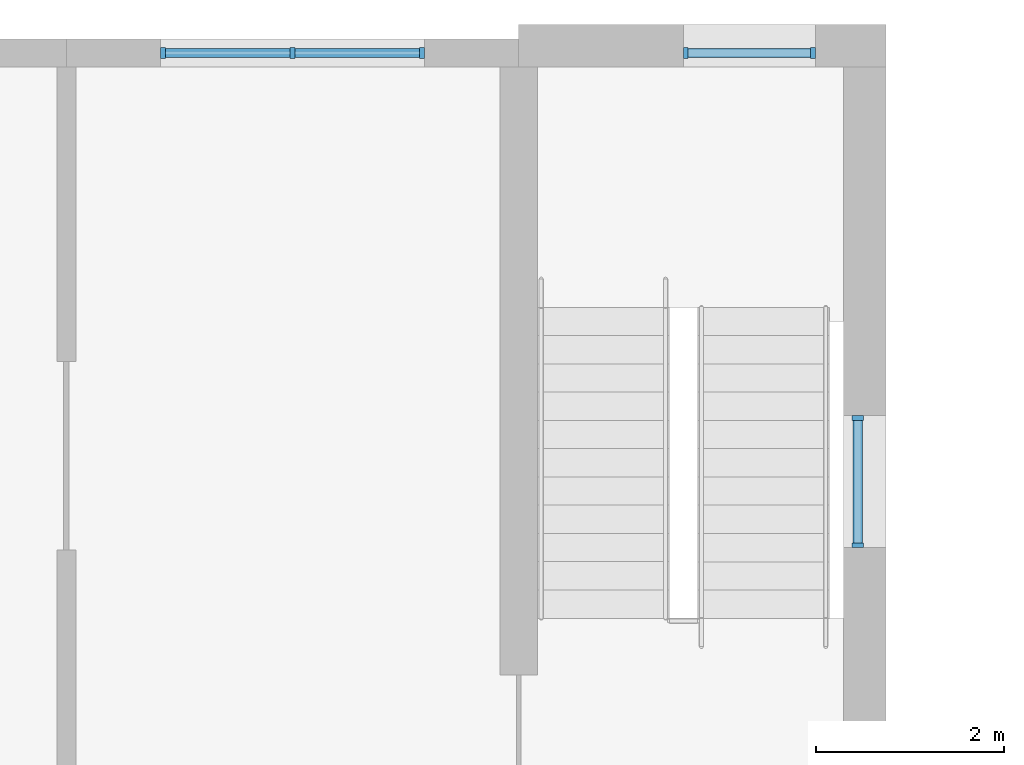
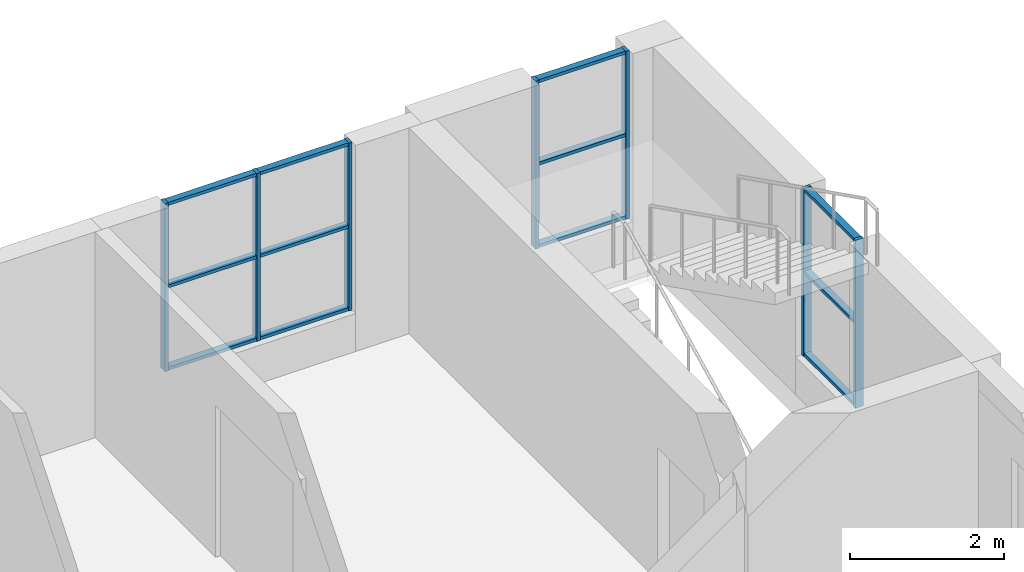
# One storey, part 14 of 45: 19 members, 3 elements without a shape of their own.
"""IFC4 building model written with IfcOpenShell, lengths in metres."""

import ifcopenshell
import ifcopenshell.guid

model = None  # the IFC model being written
_history = None  # IfcOwnerHistory: only IFC2X3 demands one
_inside = {}  # id of a spatial element -> (the spatial element, [elements in it])
_under = {}  # id of a project, library or spatial element -> (it, [spatial elements below it])
_declared = {}  # id of a project -> (the project, [libraries it declares])
_typed = {}  # id of a type object -> (the type object, [elements of that type])
_made_of = {}  # id of a material, layer set ... -> (it, [elements and type objects made of it])


def new_model(schema):
    """Start an empty IFC model of exactly this schema.

    Asked for "IFC4X3", IfcOpenShell would pick the latest addendum, in which some entities
    have other attributes; the version numbers below select the first issue.
    IFC2X3 requires an IfcOwnerHistory on every rooted entity: one is made here for all.
    """
    global model, _history
    if schema == "IFC4X3":
        model = ifcopenshell.file(schema_version=(4, 3, 0, 0))
    else:
        model = ifcopenshell.file(schema=schema)
    _inside.clear()
    _under.clear()
    _declared.clear()
    _typed.clear()
    _made_of.clear()
    _history = None
    if model.schema == "IFC2X3":
        org = make("IfcOrganization", Name="unknown")
        user = make(
            "IfcPersonAndOrganization",
            ThePerson=make("IfcPerson", FamilyName="unknown"),
            TheOrganization=org,
        )
        app = make(
            "IfcApplication",
            ApplicationDeveloper=org,
            Version="unknown",
            ApplicationFullName="unknown",
            ApplicationIdentifier="unknown",
        )
        _history = make(
            "IfcOwnerHistory",
            OwningUser=user,
            OwningApplication=app,
            ChangeAction="ADDED",
            CreationDate=0,
        )
    return model


def make(cls, **values):
    """One entity of the class cls with the attributes given. An attribute that is None is left unset."""
    return model.create_entity(
        cls, **{name: value for name, value in values.items() if value is not None}
    )


def rooted(cls, **values):
    """An entity with a GlobalId (a new one), such as an element, a storey or a relation."""
    return make(cls, GlobalId=ifcopenshell.guid.new(), OwnerHistory=_history, **values)


def si_unit(unit_type, name, prefix=None):
    """IfcSIUnit, for example si_unit("LENGTHUNIT", "METRE", prefix="MILLI")."""
    return make("IfcSIUnit", UnitType=unit_type, Prefix=prefix, Name=name)


def assignment(units):
    """IfcUnitAssignment: the units of a project."""
    return None if units is None else make("IfcUnitAssignment", Units=units)


def point(xyz):
    """IfcCartesianPoint."""
    return None if xyz is None else make("IfcCartesianPoint", Coordinates=xyz)


def direction(xyz):
    """IfcDirection."""
    return None if xyz is None else make("IfcDirection", DirectionRatios=xyz)


def frame(location, z_axis=None, x_axis=None):
    """IfcAxis2Placement3D, a coordinate frame: its origin and axes. An axis left out is left unset."""
    return make(
        "IfcAxis2Placement3D",
        Location=point(location),
        Axis=direction(z_axis),
        RefDirection=direction(x_axis),
    )


def frame_2d(location, x_axis=None):
    """IfcAxis2Placement2D, a coordinate frame in the plane: its origin and x axis."""
    return make(
        "IfcAxis2Placement2D", Location=point(location), RefDirection=direction(x_axis)
    )


def origin():
    """The frame at (0, 0, 0) with its axes left unset."""
    return frame((0.0, 0.0, 0.0))


def origin_2d():
    """The frame at (0, 0) in the plane with its x axis left unset."""
    return frame_2d((0.0, 0.0))


def place(relative_to, where):
    """IfcLocalPlacement: puts the frame where relative to a parent placement (None: the world)."""
    return make(
        "IfcLocalPlacement", PlacementRelTo=relative_to, RelativePlacement=where
    )


def context(
    kind, dimensions, precision=None, world=None, true_north=None, identifier=None
):
    """IfcGeometricRepresentationContext, for example the 3D "Model" context."""
    return make(
        "IfcGeometricRepresentationContext",
        ContextIdentifier=identifier,
        ContextType=kind,
        CoordinateSpaceDimension=dimensions,
        Precision=precision,
        WorldCoordinateSystem=world,
        TrueNorth=true_north,
    )


def subcontext(parent, identifier, kind, view, scale=None):
    """IfcGeometricRepresentationSubContext, for example "Body" below "Model"."""
    return make(
        "IfcGeometricRepresentationSubContext",
        ContextIdentifier=identifier,
        ContextType=kind,
        ParentContext=parent,
        TargetScale=scale,
        TargetView=view,
    )


def project(units=None, contexts=None):
    """IfcProject with its units and contexts."""
    return rooted(
        "IfcProject",
        Name="project",
        RepresentationContexts=contexts,
        UnitsInContext=assignment(units),
    )


def spatial(cls, under=None, at=None, **own):
    """A site, building, storey or space (cls), placed at a placement, below another one or the project."""
    s = rooted(cls, ObjectPlacement=at, **own)
    if under is not None:
        _under.setdefault(under.id(), (under, []))[1].append(s)
    return s


def profile(cls, at=None, kind="AREA", **sizes):
    """A parametric profile (cls). Its sizes go by their IFC names, for example OverallWidth=200.0."""
    return make(cls, ProfileType=kind, Position=at, **sizes)


def rectangle(**sizes):
    """IfcRectangleProfileDef."""
    return profile("IfcRectangleProfileDef", **sizes)


def extrude(swept, where, along, depth):
    """IfcExtrudedAreaSolid: the profile swept, set in the frame where, extruded along a direction by depth."""
    return make(
        "IfcExtrudedAreaSolid",
        SweptArea=swept,
        Position=where,
        ExtrudedDirection=direction(along),
        Depth=depth,
    )


def shape(context_of_items, identifier, shape_type, items):
    """IfcShapeRepresentation: the items that make up one representation, for example the "Body"."""
    return make(
        "IfcShapeRepresentation",
        ContextOfItems=context_of_items,
        RepresentationIdentifier=identifier,
        RepresentationType=shape_type,
        Items=items,
    )


def material(Name=None, Category=None):
    """IfcMaterial."""
    return make("IfcMaterial", Name=Name, Category=Category)


def material_profile(
    of_material, cross_section, Name=None, Category=None, Priority=None
):
    """IfcMaterialProfile: a cross section and its material."""
    return make(
        "IfcMaterialProfile",
        Name=Name,
        Material=of_material,
        Profile=cross_section,
        Priority=Priority,
        Category=Category,
    )


def profile_set(profiles, Name=None, composite=None):
    """IfcMaterialProfileSet."""
    return make(
        "IfcMaterialProfileSet",
        Name=Name,
        MaterialProfiles=profiles,
        CompositeProfile=composite,
    )


def made_of(thing, what):
    """Note that an element or type object is made of a material, layer set ...; save() writes the relation."""
    if what is not None:
        _made_of.setdefault(what.id(), (what, []))[1].append(thing)
    return thing


def type_object(cls, material=None, **own):
    """A type object (cls), such as IfcWallType, which elements share."""
    return made_of(rooted(cls, **own), material)


def element(
    cls,
    number,
    at=None,
    inside=None,
    cuts=None,
    type_object=None,
    material=None,
    context=None,
    identifier="Body",
    shape_type=None,
    held_by="IfcProductDefinitionShape",
    body=None,
    shapes=None,
    **own,
):
    """One element of the class cls, such as IfcWall. Its Tag is "e" and its number.

    at: its placement. inside: the storey or other place that contains it. cuts: it is an
    opening in that element (IfcRelVoidsElement). A single representation is given by context,
    identifier, shape_type and body (its items); several are given by shapes. held_by: the class
    of the entity that holds the representations. save() writes the other relations.
    """
    e = rooted(cls, Tag="e%d" % number, ObjectPlacement=at, **own)
    if body is not None:
        shapes = [shape(context, identifier, shape_type, body)]
    if shapes is not None:
        e.Representation = make(held_by, Representations=shapes)
    if inside is not None:
        _inside.setdefault(inside.id(), (inside, []))[1].append(e)
    if cuts is not None:
        rooted(
            "IfcRelVoidsElement", RelatingBuildingElement=cuts, RelatedOpeningElement=e
        )
    if type_object is not None:
        _typed.setdefault(type_object.id(), (type_object, []))[1].append(e)
    return made_of(e, material)


def aggregate(whole, parts):
    """IfcRelAggregates: a whole, such as a stair, and the parts it consists of."""
    return rooted("IfcRelAggregates", RelatingObject=whole, RelatedObjects=parts)


def save(model, path):
    """Write the relations noted so far, then the file.

    IfcRelAggregates (storeys below a building ...), IfcRelContainedInSpatialStructure (elements
    in a storey), IfcRelDefinesByType, IfcRelAssociatesMaterial and IfcRelDeclares: one each for
    every whole, place, type object, material and project.
    """
    for whole, parts in _under.values():
        aggregate(whole, parts)
    for where, things in _inside.values():
        rooted(
            "IfcRelContainedInSpatialStructure",
            RelatedElements=things,
            RelatingStructure=where,
        )
    for kind, things in _typed.values():
        rooted("IfcRelDefinesByType", RelatedObjects=things, RelatingType=kind)
    for what, things in _made_of.values():
        rooted("IfcRelAssociatesMaterial", RelatedObjects=things, RelatingMaterial=what)
    for by, libraries in _declared.values():
        rooted("IfcRelDeclares", RelatingContext=by, RelatedDefinitions=libraries)
    model.write(path)


model = new_model("IFC4")

# Units and contexts
model_context = context("Model", 3, precision=1e-05, world=origin(), true_north=direction((0.0, 1.0)))
body_context = subcontext(model_context, "Body", "Model", "MODEL_VIEW")
ifc_project = project(units=[si_unit("LENGTHUNIT", "METRE"), si_unit("AREAUNIT", "SQUARE_METRE"), si_unit("VOLUMEUNIT", "CUBIC_METRE"), si_unit("PLANEANGLEUNIT", "RADIAN"), si_unit("MASSUNIT", "GRAM", prefix="KILO")], contexts=[model_context])

# Site, building, storey
site_placement = place(None, origin())
site = spatial("IfcSite", under=ifc_project, at=site_placement, CompositionType="ELEMENT")
building_placement = place(site_placement, origin())
building = spatial("IfcBuilding", under=site, at=building_placement, Name="Yavir Park General Hospital", CompositionType="ELEMENT")
storey_placement = place(building_placement, frame((0.0, 0.0, 22.5)))
storey = spatial("IfcBuildingStorey", under=building, at=storey_placement, Name="L05", CompositionType="ELEMENT", Elevation=22.5)

# Curtain wall, members
ifc_material_1 = material(Name="Aluminium curtain wall frame with insulated glazing", Category="aluminium")
curtain_wall_type_1 = type_object("IfcCurtainWallType", Name="Stair light slot, ward floors, 2660 high, 1400 module", PredefinedType="NOTDEFINED", material=ifc_material_1)
curtain_wall_1_placement = place(storey_placement, origin())
curtain_wall_1 = element("IfcCurtainWall", 1, at=curtain_wall_1_placement, inside=storey, type_object=curtain_wall_type_1, Name="CW10 L05-016", PredefinedType="NOTDEFINED")
ifc_material_2 = material(Name="Aluminium", Category="aluminium")
ifc_material_profile_1 = material_profile(ifc_material_2, rectangle(XDim=0.1201171875, YDim=0.050048828125, at=origin_2d()), Name="AL 50x120")
ifc_profile_set_1 = profile_set([ifc_material_profile_1], Name="Aluminium")
member_type_1 = type_object("IfcMemberType", Name="Stair light slot, ward floors, 2660 high mullion 50 x 120", PredefinedType="MULLION", material=ifc_profile_set_1)
member_1_placement = place(storey_placement, frame((23.375, 117.60009765625, 0.60009765625), z_axis=(0.0, 0.0, 1.0), x_axis=(0.0, 1.0, 0.0)))
member_1 = element("IfcMember", 2, at=member_1_placement, type_object=member_type_1, Name="CW10 mullion 1", PredefinedType="MULLION", context=body_context, shape_type="SweptSolid", body=[
    extrude(rectangle(XDim=0.1201171875, YDim=0.050048828125, at=origin_2d()), origin(), (0.0, 0.0, 1.0), 2.659912109375),
])
member_2_placement = place(storey_placement, frame((24.72509765625, 117.60009765625, 0.60009765625), z_axis=(0.0, 0.0, 1.0), x_axis=(0.0, 1.0, 0.0)))
member_2 = element("IfcMember", 3, at=member_2_placement, type_object=member_type_1, Name="CW10 mullion 2", PredefinedType="MULLION", context=body_context, shape_type="SweptSolid", body=[
    extrude(rectangle(XDim=0.1201171875, YDim=0.050048828125, at=origin_2d()), origin(), (0.0, 0.0, 1.0), 2.659912109375),
])

curtain_wall_2_placement = place(storey_placement, origin())
curtain_wall_2 = element("IfcCurtainWall", 4, at=curtain_wall_2_placement, inside=storey, type_object=curtain_wall_type_1, Name="CW10 L05-025", PredefinedType="NOTDEFINED")
member_3_placement = place(storey_placement, frame((25.199951171875, 112.375, 0.60009765625), z_axis=(0.0, 0.0, 1.0), x_axis=(-1.0, 0.0, 0.0)))
member_3 = element("IfcMember", 5, at=member_3_placement, type_object=member_type_1, Name="CW10 mullion 1", PredefinedType="MULLION", context=body_context, shape_type="SweptSolid", body=[
    extrude(rectangle(XDim=0.1201171875, YDim=0.050048828125, at=origin_2d()), origin(), (0.0, 0.0, 1.0), 2.659912109375),
])
member_4_placement = place(storey_placement, frame((25.199951171875, 113.72509765625, 0.60009765625), z_axis=(0.0, 0.0, 1.0), x_axis=(-1.0, 0.0, 0.0)))
member_4 = element("IfcMember", 6, at=member_4_placement, type_object=member_type_1, Name="CW10 mullion 2", PredefinedType="MULLION", context=body_context, shape_type="SweptSolid", body=[
    extrude(rectangle(XDim=0.1201171875, YDim=0.050048828125, at=origin_2d()), origin(), (0.0, 0.0, 1.0), 2.659912109375),
])

# Member
ifc_material_3 = material(Name="Aluminium", Category="aluminium")
ifc_material_profile_2 = material_profile(ifc_material_3, rectangle(XDim=0.10009765625, YDim=0.050048828125, at=origin_2d()), Name="AL 100x50")
ifc_profile_set_2 = profile_set([ifc_material_profile_2], Name="Aluminium")
member_type_2 = type_object("IfcMemberType", Name="Stair light slot, ward floors, 2660 high transom 50 x 100", PredefinedType="MULLION", material=ifc_profile_set_2)
member_5_placement = place(storey_placement, frame((23.39990234375, 117.60009765625, 0.625), z_axis=(1.0, 0.0, 0.0), x_axis=(0.0, 1.0, 0.0)))
member_5 = element("IfcMember", 7, at=member_5_placement, type_object=member_type_2, Name="CW10 transom 1.1", PredefinedType="MULLION", context=body_context, shape_type="SweptSolid", body=[
    extrude(rectangle(XDim=0.10009765625, YDim=0.050048828125, at=origin_2d()), origin(), (0.0, 0.0, 1.0), 1.300048828125),
])

member_6_placement = place(storey_placement, frame((23.39990234375, 117.60009765625, 1.929931640625), z_axis=(1.0, 0.0, 0.0), x_axis=(0.0, 1.0, 0.0)))
member_6 = element("IfcMember", 8, at=member_6_placement, type_object=member_type_2, Name="CW10 transom 1.2", PredefinedType="MULLION", context=body_context, shape_type="SweptSolid", body=[
    extrude(rectangle(XDim=0.10009765625, YDim=0.050048828125, at=origin_2d()), origin(), (0.0, 0.0, 1.0), 1.300048828125),
])

member_7_placement = place(storey_placement, frame((23.39990234375, 117.60009765625, 3.235107421875), z_axis=(1.0, 0.0, 0.0), x_axis=(0.0, 1.0, 0.0)))
member_7 = element("IfcMember", 9, at=member_7_placement, type_object=member_type_2, Name="CW10 transom 1.3", PredefinedType="MULLION", context=body_context, shape_type="SweptSolid", body=[
    extrude(rectangle(XDim=0.10009765625, YDim=0.050048828125, at=origin_2d()), origin(), (0.0, 0.0, 1.0), 1.300048828125),
])

aggregate(curtain_wall_1, [member_1, member_2, member_5, member_6, member_7])

member_8_placement = place(storey_placement, frame((25.199951171875, 112.39990234375, 0.625), z_axis=(0.0, 1.0, 0.0), x_axis=(-1.0, 0.0, 0.0)))
member_8 = element("IfcMember", 10, at=member_8_placement, type_object=member_type_2, Name="CW10 transom 1.1", PredefinedType="MULLION", context=body_context, shape_type="SweptSolid", body=[
    extrude(rectangle(XDim=0.10009765625, YDim=0.050048828125, at=origin_2d()), origin(), (0.0, 0.0, 1.0), 1.300048828125),
])

member_9_placement = place(storey_placement, frame((25.199951171875, 112.39990234375, 1.929931640625), z_axis=(0.0, 1.0, 0.0), x_axis=(-1.0, 0.0, 0.0)))
member_9 = element("IfcMember", 11, at=member_9_placement, type_object=member_type_2, Name="CW10 transom 1.2", PredefinedType="MULLION", context=body_context, shape_type="SweptSolid", body=[
    extrude(rectangle(XDim=0.10009765625, YDim=0.050048828125, at=origin_2d()), origin(), (0.0, 0.0, 1.0), 1.300048828125),
])

member_10_placement = place(storey_placement, frame((25.199951171875, 112.39990234375, 3.235107421875), z_axis=(0.0, 1.0, 0.0), x_axis=(-1.0, 0.0, 0.0)))
member_10 = element("IfcMember", 12, at=member_10_placement, type_object=member_type_2, Name="CW10 transom 1.3", PredefinedType="MULLION", context=body_context, shape_type="SweptSolid", body=[
    extrude(rectangle(XDim=0.10009765625, YDim=0.050048828125, at=origin_2d()), origin(), (0.0, 0.0, 1.0), 1.300048828125),
])

aggregate(curtain_wall_2, [member_3, member_4, member_8, member_9, member_10])

# Curtain wall, members
ifc_material_4 = material(Name="Aluminium curtain wall frame with insulated glazing", Category="aluminium")
curtain_wall_type_2 = type_object("IfcCurtainWallType", Name="Ward corridor end glazing, 2660 high, 1400 module", PredefinedType="NOTDEFINED", material=ifc_material_4)
curtain_wall_3_placement = place(storey_placement, origin())
curtain_wall_3 = element("IfcCurtainWall", 13, at=curtain_wall_3_placement, inside=storey, type_object=curtain_wall_type_2, Name="CW15 L05-015", PredefinedType="NOTDEFINED")
ifc_material_5 = material(Name="Aluminium", Category="aluminium")
ifc_material_profile_3 = material_profile(ifc_material_5, rectangle(XDim=0.1201171875, YDim=0.050048828125, at=origin_2d()), Name="AL 50x120")
ifc_profile_set_3 = profile_set([ifc_material_profile_3], Name="Aluminium")
member_type_3 = type_object("IfcMemberType", Name="Ward corridor end glazing, 2660 high mullion 50 x 120", PredefinedType="MULLION", material=ifc_profile_set_3)
member_11_placement = place(storey_placement, frame((17.824951171875, 117.60009765625, 0.60009765625), z_axis=(0.0, 0.0, 1.0), x_axis=(0.0, 1.0, 0.0)))
member_11 = element("IfcMember", 14, at=member_11_placement, type_object=member_type_3, Name="CW15 mullion 1", PredefinedType="MULLION", context=body_context, shape_type="SweptSolid", body=[
    extrude(rectangle(XDim=0.1201171875, YDim=0.050048828125, at=origin_2d()), origin(), (0.0, 0.0, 1.0), 2.659912109375),
])
member_12_placement = place(storey_placement, frame((19.199951171875, 117.60009765625, 0.60009765625), z_axis=(0.0, 0.0, 1.0), x_axis=(0.0, 1.0, 0.0)))
member_12 = element("IfcMember", 15, at=member_12_placement, type_object=member_type_3, Name="CW15 mullion 2", PredefinedType="MULLION", context=body_context, shape_type="SweptSolid", body=[
    extrude(rectangle(XDim=0.1201171875, YDim=0.050048828125, at=origin_2d()), origin(), (0.0, 0.0, 1.0), 2.659912109375),
])
member_13_placement = place(storey_placement, frame((20.574951171875, 117.60009765625, 0.60009765625), z_axis=(0.0, 0.0, 1.0), x_axis=(0.0, 1.0, 0.0)))
member_13 = element("IfcMember", 16, at=member_13_placement, type_object=member_type_3, Name="CW15 mullion 3", PredefinedType="MULLION", context=body_context, shape_type="SweptSolid", body=[
    extrude(rectangle(XDim=0.1201171875, YDim=0.050048828125, at=origin_2d()), origin(), (0.0, 0.0, 1.0), 2.659912109375),
])
ifc_material_6 = material(Name="Aluminium", Category="aluminium")
ifc_material_profile_4 = material_profile(ifc_material_6, rectangle(XDim=0.10009765625, YDim=0.050048828125, at=origin_2d()), Name="AL 100x50")
ifc_profile_set_4 = profile_set([ifc_material_profile_4], Name="Aluminium")
member_type_4 = type_object("IfcMemberType", Name="Ward corridor end glazing, 2660 high transom 50 x 100", PredefinedType="MULLION", material=ifc_profile_set_4)
member_14_placement = place(storey_placement, frame((17.85009765625, 117.60009765625, 0.625), z_axis=(1.0, 0.0, 0.0), x_axis=(0.0, 1.0, 0.0)))
member_14 = element("IfcMember", 17, at=member_14_placement, type_object=member_type_4, Name="CW15 transom 1.1", PredefinedType="MULLION", context=body_context, shape_type="SweptSolid", body=[
    extrude(rectangle(XDim=0.10009765625, YDim=0.050048828125, at=origin_2d()), origin(), (0.0, 0.0, 1.0), 1.324951171875),
])
member_15_placement = place(storey_placement, frame((17.85009765625, 117.60009765625, 1.929931640625), z_axis=(1.0, 0.0, 0.0), x_axis=(0.0, 1.0, 0.0)))
member_15 = element("IfcMember", 18, at=member_15_placement, type_object=member_type_4, Name="CW15 transom 1.2", PredefinedType="MULLION", context=body_context, shape_type="SweptSolid", body=[
    extrude(rectangle(XDim=0.10009765625, YDim=0.050048828125, at=origin_2d()), origin(), (0.0, 0.0, 1.0), 1.324951171875),
])
member_16_placement = place(storey_placement, frame((17.85009765625, 117.60009765625, 3.235107421875), z_axis=(1.0, 0.0, 0.0), x_axis=(0.0, 1.0, 0.0)))
member_16 = element("IfcMember", 19, at=member_16_placement, type_object=member_type_4, Name="CW15 transom 1.3", PredefinedType="MULLION", context=body_context, shape_type="SweptSolid", body=[
    extrude(rectangle(XDim=0.10009765625, YDim=0.050048828125, at=origin_2d()), origin(), (0.0, 0.0, 1.0), 1.324951171875),
])
member_17_placement = place(storey_placement, frame((19.22509765625, 117.60009765625, 0.625), z_axis=(1.0, 0.0, 0.0), x_axis=(0.0, 1.0, 0.0)))
member_17 = element("IfcMember", 20, at=member_17_placement, type_object=member_type_4, Name="CW15 transom 2.1", PredefinedType="MULLION", context=body_context, shape_type="SweptSolid", body=[
    extrude(rectangle(XDim=0.10009765625, YDim=0.050048828125, at=origin_2d()), origin(), (0.0, 0.0, 1.0), 1.324951171875),
])
member_18_placement = place(storey_placement, frame((19.22509765625, 117.60009765625, 1.929931640625), z_axis=(1.0, 0.0, 0.0), x_axis=(0.0, 1.0, 0.0)))
member_18 = element("IfcMember", 21, at=member_18_placement, type_object=member_type_4, Name="CW15 transom 2.2", PredefinedType="MULLION", context=body_context, shape_type="SweptSolid", body=[
    extrude(rectangle(XDim=0.10009765625, YDim=0.050048828125, at=origin_2d()), origin(), (0.0, 0.0, 1.0), 1.324951171875),
])
member_19_placement = place(storey_placement, frame((19.22509765625, 117.60009765625, 3.235107421875), z_axis=(1.0, 0.0, 0.0), x_axis=(0.0, 1.0, 0.0)))
member_19 = element("IfcMember", 22, at=member_19_placement, type_object=member_type_4, Name="CW15 transom 2.3", PredefinedType="MULLION", context=body_context, shape_type="SweptSolid", body=[
    extrude(rectangle(XDim=0.10009765625, YDim=0.050048828125, at=origin_2d()), origin(), (0.0, 0.0, 1.0), 1.324951171875),
])
aggregate(curtain_wall_3, [member_11, member_12, member_13, member_14, member_15, member_16, member_17, member_18, member_19])

save(model, "model.ifc")
